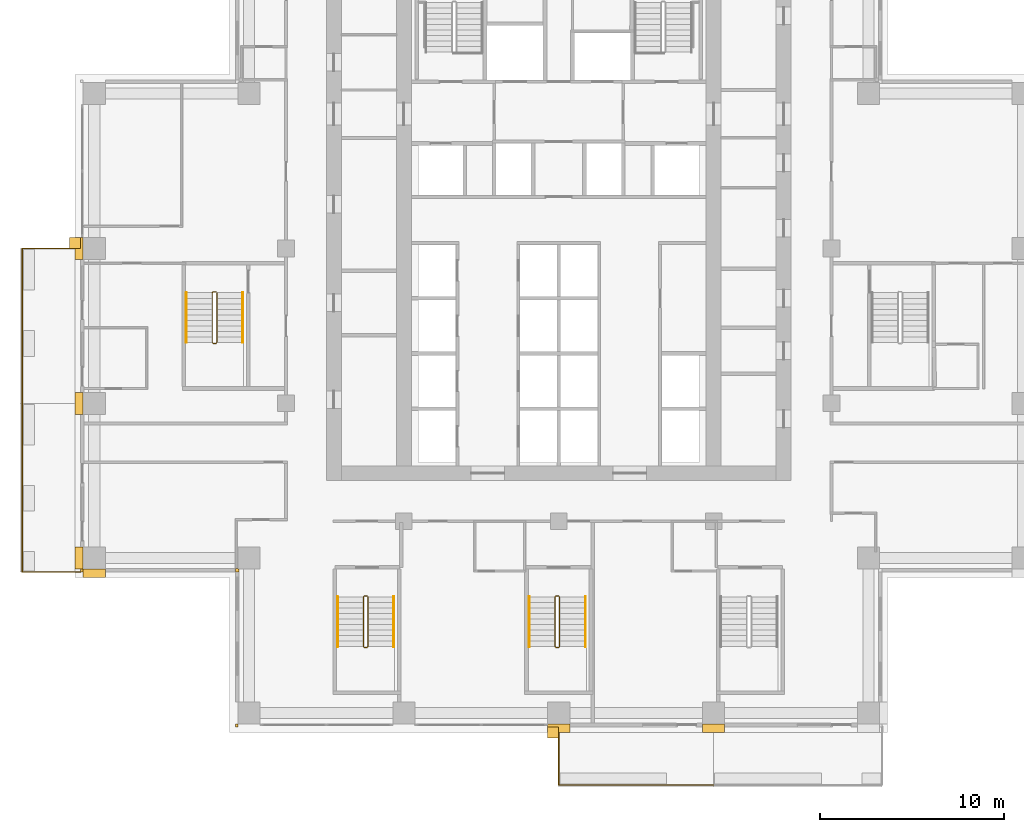
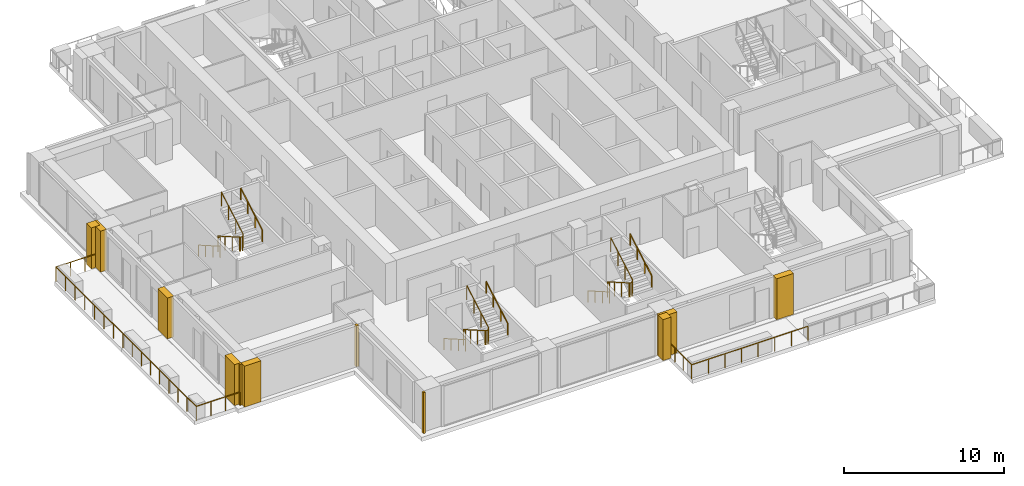
# One storey, part 15 of 18: 12 railings, 11 coverings.
"""IFC4 building model written with IfcOpenShell, lengths in metres."""

import ifcopenshell
import ifcopenshell.guid

model = None  # the IFC model being written
_history = None  # IfcOwnerHistory: only IFC2X3 demands one
_inside = {}  # id of a spatial element -> (the spatial element, [elements in it])
_under = {}  # id of a project, library or spatial element -> (it, [spatial elements below it])
_declared = {}  # id of a project -> (the project, [libraries it declares])
_typed = {}  # id of a type object -> (the type object, [elements of that type])
_made_of = {}  # id of a material, layer set ... -> (it, [elements and type objects made of it])


def new_model(schema):
    """Start an empty IFC model of exactly this schema.

    Asked for "IFC4X3", IfcOpenShell would pick the latest addendum, in which some entities
    have other attributes; the version numbers below select the first issue.
    IFC2X3 requires an IfcOwnerHistory on every rooted entity: one is made here for all.
    """
    global model, _history
    if schema == "IFC4X3":
        model = ifcopenshell.file(schema_version=(4, 3, 0, 0))
    else:
        model = ifcopenshell.file(schema=schema)
    _inside.clear()
    _under.clear()
    _declared.clear()
    _typed.clear()
    _made_of.clear()
    _history = None
    if model.schema == "IFC2X3":
        org = make("IfcOrganization", Name="unknown")
        user = make(
            "IfcPersonAndOrganization",
            ThePerson=make("IfcPerson", FamilyName="unknown"),
            TheOrganization=org,
        )
        app = make(
            "IfcApplication",
            ApplicationDeveloper=org,
            Version="unknown",
            ApplicationFullName="unknown",
            ApplicationIdentifier="unknown",
        )
        _history = make(
            "IfcOwnerHistory",
            OwningUser=user,
            OwningApplication=app,
            ChangeAction="ADDED",
            CreationDate=0,
        )
    return model


def make(cls, **values):
    """One entity of the class cls with the attributes given. An attribute that is None is left unset."""
    return model.create_entity(
        cls, **{name: value for name, value in values.items() if value is not None}
    )


def rooted(cls, **values):
    """An entity with a GlobalId (a new one), such as an element, a storey or a relation."""
    return make(cls, GlobalId=ifcopenshell.guid.new(), OwnerHistory=_history, **values)


def si_unit(unit_type, name, prefix=None):
    """IfcSIUnit, for example si_unit("LENGTHUNIT", "METRE", prefix="MILLI")."""
    return make("IfcSIUnit", UnitType=unit_type, Prefix=prefix, Name=name)


def assignment(units):
    """IfcUnitAssignment: the units of a project."""
    return None if units is None else make("IfcUnitAssignment", Units=units)


def point(xyz):
    """IfcCartesianPoint."""
    return None if xyz is None else make("IfcCartesianPoint", Coordinates=xyz)


def direction(xyz):
    """IfcDirection."""
    return None if xyz is None else make("IfcDirection", DirectionRatios=xyz)


def frame(location, z_axis=None, x_axis=None):
    """IfcAxis2Placement3D, a coordinate frame: its origin and axes. An axis left out is left unset."""
    return make(
        "IfcAxis2Placement3D",
        Location=point(location),
        Axis=direction(z_axis),
        RefDirection=direction(x_axis),
    )


def frame_2d(location, x_axis=None):
    """IfcAxis2Placement2D, a coordinate frame in the plane: its origin and x axis."""
    return make(
        "IfcAxis2Placement2D", Location=point(location), RefDirection=direction(x_axis)
    )


def origin():
    """The frame at (0, 0, 0) with its axes left unset."""
    return frame((0.0, 0.0, 0.0))


def origin_2d():
    """The frame at (0, 0) in the plane with its x axis left unset."""
    return frame_2d((0.0, 0.0))


def place(relative_to, where):
    """IfcLocalPlacement: puts the frame where relative to a parent placement (None: the world)."""
    return make(
        "IfcLocalPlacement", PlacementRelTo=relative_to, RelativePlacement=where
    )


def context(
    kind, dimensions, precision=None, world=None, true_north=None, identifier=None
):
    """IfcGeometricRepresentationContext, for example the 3D "Model" context."""
    return make(
        "IfcGeometricRepresentationContext",
        ContextIdentifier=identifier,
        ContextType=kind,
        CoordinateSpaceDimension=dimensions,
        Precision=precision,
        WorldCoordinateSystem=world,
        TrueNorth=true_north,
    )


def subcontext(parent, identifier, kind, view, scale=None):
    """IfcGeometricRepresentationSubContext, for example "Body" below "Model"."""
    return make(
        "IfcGeometricRepresentationSubContext",
        ContextIdentifier=identifier,
        ContextType=kind,
        ParentContext=parent,
        TargetScale=scale,
        TargetView=view,
    )


def project(units=None, contexts=None):
    """IfcProject with its units and contexts."""
    return rooted(
        "IfcProject",
        Name="project",
        RepresentationContexts=contexts,
        UnitsInContext=assignment(units),
    )


def spatial(cls, under=None, at=None, **own):
    """A site, building, storey or space (cls), placed at a placement, below another one or the project."""
    s = rooted(cls, ObjectPlacement=at, **own)
    if under is not None:
        _under.setdefault(under.id(), (under, []))[1].append(s)
    return s


def polyline(points):
    """IfcPolyline through the points."""
    return make("IfcPolyline", Points=[point(p) for p in points])


def profile(cls, at=None, kind="AREA", **sizes):
    """A parametric profile (cls). Its sizes go by their IFC names, for example OverallWidth=200.0."""
    return make(cls, ProfileType=kind, Position=at, **sizes)


def rectangle(**sizes):
    """IfcRectangleProfileDef."""
    return profile("IfcRectangleProfileDef", **sizes)


def outline(outer, holes=None, kind="AREA"):
    """IfcArbitraryClosedProfileDef: a profile drawn as a closed curve; with holes, ...WithVoids."""
    if holes is None:
        return make("IfcArbitraryClosedProfileDef", ProfileType=kind, OuterCurve=outer)
    return make(
        "IfcArbitraryProfileDefWithVoids",
        ProfileType=kind,
        OuterCurve=outer,
        InnerCurves=holes,
    )


def extrude(swept, where, along, depth):
    """IfcExtrudedAreaSolid: the profile swept, set in the frame where, extruded along a direction by depth."""
    return make(
        "IfcExtrudedAreaSolid",
        SweptArea=swept,
        Position=where,
        ExtrudedDirection=direction(along),
        Depth=depth,
    )


def shape(context_of_items, identifier, shape_type, items):
    """IfcShapeRepresentation: the items that make up one representation, for example the "Body"."""
    return make(
        "IfcShapeRepresentation",
        ContextOfItems=context_of_items,
        RepresentationIdentifier=identifier,
        RepresentationType=shape_type,
        Items=items,
    )


def material(Name=None, Category=None):
    """IfcMaterial."""
    return make("IfcMaterial", Name=Name, Category=Category)


def made_of(thing, what):
    """Note that an element or type object is made of a material, layer set ...; save() writes the relation."""
    if what is not None:
        _made_of.setdefault(what.id(), (what, []))[1].append(thing)
    return thing


def type_object(cls, material=None, **own):
    """A type object (cls), such as IfcWallType, which elements share."""
    return made_of(rooted(cls, **own), material)


def element(
    cls,
    number,
    at=None,
    inside=None,
    cuts=None,
    type_object=None,
    material=None,
    context=None,
    identifier="Body",
    shape_type=None,
    held_by="IfcProductDefinitionShape",
    body=None,
    shapes=None,
    **own,
):
    """One element of the class cls, such as IfcWall. Its Tag is "e" and its number.

    at: its placement. inside: the storey or other place that contains it. cuts: it is an
    opening in that element (IfcRelVoidsElement). A single representation is given by context,
    identifier, shape_type and body (its items); several are given by shapes. held_by: the class
    of the entity that holds the representations. save() writes the other relations.
    """
    e = rooted(cls, Tag="e%d" % number, ObjectPlacement=at, **own)
    if body is not None:
        shapes = [shape(context, identifier, shape_type, body)]
    if shapes is not None:
        e.Representation = make(held_by, Representations=shapes)
    if inside is not None:
        _inside.setdefault(inside.id(), (inside, []))[1].append(e)
    if cuts is not None:
        rooted(
            "IfcRelVoidsElement", RelatingBuildingElement=cuts, RelatedOpeningElement=e
        )
    if type_object is not None:
        _typed.setdefault(type_object.id(), (type_object, []))[1].append(e)
    return made_of(e, material)


def aggregate(whole, parts):
    """IfcRelAggregates: a whole, such as a stair, and the parts it consists of."""
    return rooted("IfcRelAggregates", RelatingObject=whole, RelatedObjects=parts)


def save(model, path):
    """Write the relations noted so far, then the file.

    IfcRelAggregates (storeys below a building ...), IfcRelContainedInSpatialStructure (elements
    in a storey), IfcRelDefinesByType, IfcRelAssociatesMaterial and IfcRelDeclares: one each for
    every whole, place, type object, material and project.
    """
    for whole, parts in _under.values():
        aggregate(whole, parts)
    for where, things in _inside.values():
        rooted(
            "IfcRelContainedInSpatialStructure",
            RelatedElements=things,
            RelatingStructure=where,
        )
    for kind, things in _typed.values():
        rooted("IfcRelDefinesByType", RelatedObjects=things, RelatingType=kind)
    for what, things in _made_of.values():
        rooted("IfcRelAssociatesMaterial", RelatedObjects=things, RelatingMaterial=what)
    for by, libraries in _declared.values():
        rooted("IfcRelDeclares", RelatingContext=by, RelatedDefinitions=libraries)
    model.write(path)


model = new_model("IFC4")

# Units and contexts
model_context = context("Model", 3, precision=1e-05, world=origin(), true_north=direction((0.0, 1.0)))
body_context = subcontext(model_context, "Body", "Model", "MODEL_VIEW")
ifc_project = project(units=[si_unit("LENGTHUNIT", "METRE"), si_unit("AREAUNIT", "SQUARE_METRE"), si_unit("VOLUMEUNIT", "CUBIC_METRE"), si_unit("PLANEANGLEUNIT", "RADIAN"), si_unit("MASSUNIT", "GRAM", prefix="KILO")], contexts=[model_context])

# Site, building, storey
site_placement = place(None, origin())
site = spatial("IfcSite", under=ifc_project, at=site_placement, CompositionType="ELEMENT")
building_placement = place(site_placement, origin())
building = spatial("IfcBuilding", under=site, at=building_placement, Name="Vermilion Ogive Tower", CompositionType="ELEMENT")
storey_placement = place(building_placement, frame((0.0, 0.0, 108.0)))
storey = spatial("IfcBuildingStorey", under=building, at=storey_placement, Name="L27", CompositionType="ELEMENT", Elevation=108.0)

# Railings
ifc_material_1 = material(Name="Stainless steel and glass", Category="steel")
railing_type_1 = type_object("IfcRailingType", Name="Balcony guard", PredefinedType="GUARDRAIL", material=ifc_material_1)
railing_1_placement = place(storey_placement, frame((0.0, -21.75, -0.0400390625)))
element("IfcRailing", 1, at=railing_1_placement, inside=storey, type_object=railing_type_1, Name="Guard S03", PredefinedType="GUARDRAIL", context=body_context, shape_type="SweptSolid", body=[
    extrude(rectangle(XDim=0.048095703125, YDim=0.048095703125, at=origin_2d()), frame((0.0, 0.0, 1.076171875), z_axis=(0.0, -1.0, 0.0), x_axis=(1.0, 0.0, 0.0)), (0.0, 0.0, 1.0), 3.159912109375),
    extrude(rectangle(XDim=0.048095703125, YDim=0.048095703125, at=origin_2d()), frame((0.0, -3.159912109375, 1.076171875), z_axis=(1.0, 0.0, 0.0), x_axis=(0.0, 1.0, 0.0)), (0.0, 0.0, 1.0), 8.39990234375),
    extrude(rectangle(XDim=0.0419921875, YDim=0.0419921875, at=origin_2d()), origin(), (0.0, 0.0, 1.0), 1.052001953125),
    extrude(rectangle(XDim=0.0419921875, YDim=0.0419921875, at=origin_2d()), frame((0.0, -1.05322265625, 0.0)), (0.0, 0.0, 1.0), 1.052001953125),
    extrude(rectangle(XDim=0.0419921875, YDim=0.0419921875, at=origin_2d()), frame((0.0, -2.106689453125, 0.0)), (0.0, 0.0, 1.0), 1.052001953125),
    extrude(rectangle(XDim=0.0419921875, YDim=0.0419921875, at=origin_2d()), frame((0.0, -3.159912109375, 0.0)), (0.0, 0.0, 1.0), 1.052001953125),
    extrude(rectangle(XDim=0.0419921875, YDim=0.0419921875, at=origin_2d()), frame((1.199951171875, -3.159912109375, 0.0)), (0.0, 0.0, 1.0), 1.052001953125),
    extrude(rectangle(XDim=0.0419921875, YDim=0.0419921875, at=origin_2d()), frame((2.39990234375, -3.159912109375, 0.0)), (0.0, 0.0, 1.0), 1.052001953125),
    extrude(rectangle(XDim=0.0419921875, YDim=0.0419921875, at=origin_2d()), frame((3.599853515625, -3.159912109375, 0.0)), (0.0, 0.0, 1.0), 1.052001953125),
    extrude(rectangle(XDim=0.0419921875, YDim=0.0419921875, at=origin_2d()), frame((4.800048828125, -3.159912109375, 0.0)), (0.0, 0.0, 1.0), 1.052001953125),
    extrude(rectangle(XDim=0.0419921875, YDim=0.0419921875, at=origin_2d()), frame((6.0, -3.159912109375, 0.0)), (0.0, 0.0, 1.0), 1.052001953125),
    extrude(rectangle(XDim=0.0419921875, YDim=0.0419921875, at=origin_2d()), frame((7.199951171875, -3.159912109375, 0.0)), (0.0, 0.0, 1.0), 1.052001953125),
    extrude(rectangle(XDim=0.0419921875, YDim=0.0419921875, at=origin_2d()), frame((8.39990234375, -3.159912109375, 0.0)), (0.0, 0.0, 1.0), 1.052001953125),
])
railing_2_placement = place(storey_placement, frame((-25.949951171875, 4.199951171875, -0.0400390625)))
element("IfcRailing", 2, at=railing_2_placement, inside=storey, type_object=railing_type_1, Name="Guard W02", PredefinedType="GUARDRAIL", context=body_context, shape_type="SweptSolid", body=[
    extrude(rectangle(XDim=0.048095703125, YDim=0.048095703125, at=origin_2d()), frame((0.0, 0.0, 1.076171875), z_axis=(-1.0, 0.0, 0.0), x_axis=(0.0, -1.0, 0.0)), (0.0, 0.0, 1.0), 3.16015625),
    extrude(rectangle(XDim=0.048095703125, YDim=0.048095703125, at=origin_2d()), frame((-3.16015625, 0.0, 1.076171875), z_axis=(0.0, -1.0, 0.0), x_axis=(1.0, 0.0, 0.0)), (0.0, 0.0, 1.0), 8.39990234375),
    extrude(rectangle(XDim=0.0419921875, YDim=0.0419921875, at=origin_2d()), origin(), (0.0, 0.0, 1.0), 1.052001953125),
    extrude(rectangle(XDim=0.0419921875, YDim=0.0419921875, at=origin_2d()), frame((-1.053466796875, 0.0, 0.0)), (0.0, 0.0, 1.0), 1.052001953125),
    extrude(rectangle(XDim=0.0419921875, YDim=0.0419921875, at=origin_2d()), frame((-2.106689453125, 0.0, 0.0)), (0.0, 0.0, 1.0), 1.052001953125),
    extrude(rectangle(XDim=0.0419921875, YDim=0.0419921875, at=origin_2d()), frame((-3.16015625, 0.0, 0.0)), (0.0, 0.0, 1.0), 1.052001953125),
    extrude(rectangle(XDim=0.0419921875, YDim=0.0419921875, at=origin_2d()), frame((-3.16015625, -1.199951171875, 0.0)), (0.0, 0.0, 1.0), 1.052001953125),
    extrude(rectangle(XDim=0.0419921875, YDim=0.0419921875, at=origin_2d()), frame((-3.16015625, -2.39990234375, 0.0)), (0.0, 0.0, 1.0), 1.052001953125),
    extrude(rectangle(XDim=0.0419921875, YDim=0.0419921875, at=origin_2d()), frame((-3.16015625, -3.599853515625, 0.0)), (0.0, 0.0, 1.0), 1.052001953125),
    extrude(rectangle(XDim=0.0419921875, YDim=0.0419921875, at=origin_2d()), frame((-3.16015625, -4.800048828125, 0.0)), (0.0, 0.0, 1.0), 1.052001953125),
    extrude(rectangle(XDim=0.0419921875, YDim=0.0419921875, at=origin_2d()), frame((-3.16015625, -6.0, 0.0)), (0.0, 0.0, 1.0), 1.052001953125),
    extrude(rectangle(XDim=0.0419921875, YDim=0.0419921875, at=origin_2d()), frame((-3.16015625, -7.199951171875, 0.0)), (0.0, 0.0, 1.0), 1.052001953125),
    extrude(rectangle(XDim=0.0419921875, YDim=0.0419921875, at=origin_2d()), frame((-3.16015625, -8.39990234375, 0.0)), (0.0, 0.0, 1.0), 1.052001953125),
])
railing_3_placement = place(storey_placement, frame((-29.110107421875, -4.199951171875, -0.0400390625)))
element("IfcRailing", 3, at=railing_3_placement, inside=storey, type_object=railing_type_1, Name="Guard W03", PredefinedType="GUARDRAIL", context=body_context, shape_type="SweptSolid", body=[
    extrude(rectangle(XDim=0.048095703125, YDim=0.048095703125, at=origin_2d()), frame((0.0, 0.0, 1.076171875), z_axis=(0.0, -1.0, 0.0), x_axis=(1.0, 0.0, 0.0)), (0.0, 0.0, 1.0), 9.150146484375),
    extrude(rectangle(XDim=0.048095703125, YDim=0.048095703125, at=origin_2d()), frame((0.0, -9.150146484375, 1.076171875), z_axis=(1.0, 0.0, 0.0), x_axis=(0.0, 1.0, 0.0)), (0.0, 0.0, 1.0), 3.16015625),
    extrude(rectangle(XDim=0.0419921875, YDim=0.0419921875, at=origin_2d()), origin(), (0.0, 0.0, 1.0), 1.052001953125),
    extrude(rectangle(XDim=0.0419921875, YDim=0.0419921875, at=origin_2d()), frame((0.0, -1.143798828125, 0.0)), (0.0, 0.0, 1.0), 1.052001953125),
    extrude(rectangle(XDim=0.0419921875, YDim=0.0419921875, at=origin_2d()), frame((0.0, -2.28759765625, 0.0)), (0.0, 0.0, 1.0), 1.052001953125),
    extrude(rectangle(XDim=0.0419921875, YDim=0.0419921875, at=origin_2d()), frame((0.0, -3.431396484375, 0.0)), (0.0, 0.0, 1.0), 1.052001953125),
    extrude(rectangle(XDim=0.0419921875, YDim=0.0419921875, at=origin_2d()), frame((0.0, -4.5751953125, 0.0)), (0.0, 0.0, 1.0), 1.052001953125),
    extrude(rectangle(XDim=0.0419921875, YDim=0.0419921875, at=origin_2d()), frame((0.0, -5.71875, 0.0)), (0.0, 0.0, 1.0), 1.052001953125),
    extrude(rectangle(XDim=0.0419921875, YDim=0.0419921875, at=origin_2d()), frame((0.0, -6.862548828125, 0.0)), (0.0, 0.0, 1.0), 1.052001953125),
    extrude(rectangle(XDim=0.0419921875, YDim=0.0419921875, at=origin_2d()), frame((0.0, -8.00634765625, 0.0)), (0.0, 0.0, 1.0), 1.052001953125),
    extrude(rectangle(XDim=0.0419921875, YDim=0.0419921875, at=origin_2d()), frame((0.0, -9.150146484375, 0.0)), (0.0, 0.0, 1.0), 1.052001953125),
    extrude(rectangle(XDim=0.0419921875, YDim=0.0419921875, at=origin_2d()), frame((1.053466796875, -9.150146484375, 0.0)), (0.0, 0.0, 1.0), 1.052001953125),
    extrude(rectangle(XDim=0.0419921875, YDim=0.0419921875, at=origin_2d()), frame((2.106689453125, -9.150146484375, 0.0)), (0.0, 0.0, 1.0), 1.052001953125),
    extrude(rectangle(XDim=0.0419921875, YDim=0.0419921875, at=origin_2d()), frame((3.16015625, -9.150146484375, 0.0)), (0.0, 0.0, 1.0), 1.052001953125),
])
ifc_material_2 = material(Name="Steel S355 painted", Category="steel")
railing_type_2 = type_object("IfcRailingType", Name="Stair guard 1100", PredefinedType="GUARDRAIL", material=ifc_material_2)
railing_4_placement = place(storey_placement, frame((-10.39990234375, -14.64990234375, 0.0)))
element("IfcRailing", 4, at=railing_4_placement, inside=storey, type_object=railing_type_2, Name="L27 ST3 stair guard 4", PredefinedType="GUARDRAIL", context=body_context, shape_type="SweptSolid", body=[
    extrude(rectangle(XDim=0.048095703125, YDim=0.048095703125, at=origin_2d()), frame((0.0, 0.0, 1.076171875), z_axis=(-1.0, 0.0, 0.0), x_axis=(0.0, -1.0, 0.0)), (0.0, 0.0, 1.0), 0.150146484375),
    extrude(rectangle(XDim=0.048095703125, YDim=0.048095703125, at=origin_2d()), frame((-0.150146484375, 0.0, 1.076171875), z_axis=(-0.268277960024, -0.268277960024, 0.925231793839), x_axis=(0.707106781187, -0.707106781187, 0.0)), (0.0, 0.0, 1.0), 0.1865234375),
    extrude(rectangle(XDim=0.048095703125, YDim=0.048095703125, at=origin_2d()), frame((-0.2001953125, -0.050048828125, 1.24853515625), z_axis=(0.0, -0.866903762492, 0.498475542607), x_axis=(1.0, 0.0, 0.0)), (0.0, 0.0, 1.0), 3.114501953125),
    extrude(rectangle(XDim=0.048095703125, YDim=0.048095703125, at=origin_2d()), frame((-0.2001953125, -2.75, 2.80126953125), z_axis=(0.707106781187, -0.707106781187, 0.0), x_axis=(0.707106781187, 0.707106781187, 0.0)), (0.0, 0.0, 1.0), 0.07080078125),
    extrude(rectangle(XDim=0.048095703125, YDim=0.048095703125, at=origin_2d()), frame((-0.150146484375, -2.800048828125, 2.80126953125), z_axis=(1.0, 0.0, 0.0), x_axis=(0.0, 1.0, 0.0)), (0.0, 0.0, 1.0), 0.150146484375),
    extrude(rectangle(XDim=0.048095703125, YDim=0.048095703125, at=origin_2d()), frame((0.0, -2.800048828125, 2.80126953125), z_axis=(0.267386790225, 0.268697509785, 0.925368009307), x_axis=(-0.708833529934, 0.705375805398, 0.0)), (0.0, 0.0, 1.0), 0.186279296875),
    extrude(rectangle(XDim=0.048095703125, YDim=0.048095703125, at=origin_2d()), frame((0.0498046875, -2.75, 2.9736328125), z_axis=(0.0, 0.866903762492, 0.498475542607), x_axis=(-1.0, 0.0, 0.0)), (0.0, 0.0, 1.0), 3.114501953125),
    extrude(rectangle(XDim=0.0419921875, YDim=0.0419921875, at=origin_2d()), origin(), (0.0, 0.0, 1.0), 1.052001953125),
    extrude(rectangle(XDim=0.0419921875, YDim=0.0419921875, at=origin_2d()), frame((-0.150146484375, 0.0, 0.0)), (0.0, 0.0, 1.0), 1.052001953125),
    extrude(rectangle(XDim=0.0419921875, YDim=0.0419921875, at=origin_2d()), frame((-0.2001953125, -0.050048828125, 0.172607421875)), (0.0, 0.0, 1.0), 1.052001953125),
    extrude(rectangle(XDim=0.0419921875, YDim=0.0419921875, at=origin_2d()), frame((-0.2001953125, -0.949951171875, 0.690185546875)), (0.0, 0.0, 1.0), 1.052001953125),
    extrude(rectangle(XDim=0.0419921875, YDim=0.0419921875, at=origin_2d()), frame((-0.2001953125, -1.85009765625, 1.20751953125)), (0.0, 0.0, 1.0), 1.052001953125),
    extrude(rectangle(XDim=0.0419921875, YDim=0.0419921875, at=origin_2d()), frame((-0.2001953125, -2.75, 1.72509765625)), (0.0, 0.0, 1.0), 1.052001953125),
    extrude(rectangle(XDim=0.0419921875, YDim=0.0419921875, at=origin_2d()), frame((-0.150146484375, -2.800048828125, 1.72509765625)), (0.0, 0.0, 1.0), 1.052001953125),
    extrude(rectangle(XDim=0.0419921875, YDim=0.0419921875, at=origin_2d()), frame((0.0, -2.800048828125, 1.72509765625)), (0.0, 0.0, 1.0), 1.052001953125),
    extrude(rectangle(XDim=0.0419921875, YDim=0.0419921875, at=origin_2d()), frame((0.0498046875, -2.75, 1.8974609375)), (0.0, 0.0, 1.0), 1.052001953125),
    extrude(rectangle(XDim=0.0419921875, YDim=0.0419921875, at=origin_2d()), frame((0.0498046875, -1.85009765625, 2.4150390625)), (0.0, 0.0, 1.0), 1.052001953125),
    extrude(rectangle(XDim=0.0419921875, YDim=0.0419921875, at=origin_2d()), frame((0.0498046875, -0.949951171875, 2.932373046875)), (0.0, 0.0, 1.0), 1.052001953125),
    extrude(rectangle(XDim=0.0419921875, YDim=0.0419921875, at=origin_2d()), frame((0.0498046875, -0.050048828125, 3.449951171875)), (0.0, 0.0, 1.0), 1.052001953125),
])
railing_5_placement = place(storey_placement, frame((0.0, -14.64990234375, 0.0)))
element("IfcRailing", 5, at=railing_5_placement, inside=storey, type_object=railing_type_2, Name="L27 ST4 stair guard 4", PredefinedType="GUARDRAIL", context=body_context, shape_type="SweptSolid", body=[
    extrude(rectangle(XDim=0.048095703125, YDim=0.048095703125, at=origin_2d()), frame((0.0, 0.0, 1.076171875), z_axis=(-1.0, 0.0, 0.0), x_axis=(0.0, -1.0, 0.0)), (0.0, 0.0, 1.0), 0.14990234375),
    extrude(rectangle(XDim=0.048095703125, YDim=0.048095703125, at=origin_2d()), frame((-0.14990234375, 0.0, 1.076171875), z_axis=(-0.268277960024, -0.268277960024, 0.925231793839), x_axis=(0.707106781187, -0.707106781187, 0.0)), (0.0, 0.0, 1.0), 0.1865234375),
    extrude(rectangle(XDim=0.048095703125, YDim=0.048095703125, at=origin_2d()), frame((-0.199951171875, -0.050048828125, 1.24853515625), z_axis=(0.0, -0.866903762492, 0.498475542607), x_axis=(1.0, 0.0, 0.0)), (0.0, 0.0, 1.0), 3.114501953125),
    extrude(rectangle(XDim=0.048095703125, YDim=0.048095703125, at=origin_2d()), frame((-0.199951171875, -2.75, 2.80126953125), z_axis=(0.707106781187, -0.707106781187, 0.0), x_axis=(0.707106781187, 0.707106781187, 0.0)), (0.0, 0.0, 1.0), 0.07080078125),
    extrude(rectangle(XDim=0.048095703125, YDim=0.048095703125, at=origin_2d()), frame((-0.14990234375, -2.800048828125, 2.80126953125), z_axis=(1.0, 0.0, 0.0), x_axis=(0.0, 1.0, 0.0)), (0.0, 0.0, 1.0), 0.14990234375),
    extrude(rectangle(XDim=0.048095703125, YDim=0.048095703125, at=origin_2d()), frame((0.0, -2.800048828125, 2.80126953125), z_axis=(0.268603158521, 0.268603158521, 0.925043072762), x_axis=(-0.707106781187, 0.707106781187, 0.0)), (0.0, 0.0, 1.0), 0.186279296875),
    extrude(rectangle(XDim=0.048095703125, YDim=0.048095703125, at=origin_2d()), frame((0.050048828125, -2.75, 2.9736328125), z_axis=(0.0, 0.866903762492, 0.498475542607), x_axis=(-1.0, 0.0, 0.0)), (0.0, 0.0, 1.0), 3.114501953125),
    extrude(rectangle(XDim=0.0419921875, YDim=0.0419921875, at=origin_2d()), origin(), (0.0, 0.0, 1.0), 1.052001953125),
    extrude(rectangle(XDim=0.0419921875, YDim=0.0419921875, at=origin_2d()), frame((-0.14990234375, 0.0, 0.0)), (0.0, 0.0, 1.0), 1.052001953125),
    extrude(rectangle(XDim=0.0419921875, YDim=0.0419921875, at=origin_2d()), frame((-0.199951171875, -0.050048828125, 0.172607421875)), (0.0, 0.0, 1.0), 1.052001953125),
    extrude(rectangle(XDim=0.0419921875, YDim=0.0419921875, at=origin_2d()), frame((-0.199951171875, -0.949951171875, 0.690185546875)), (0.0, 0.0, 1.0), 1.052001953125),
    extrude(rectangle(XDim=0.0419921875, YDim=0.0419921875, at=origin_2d()), frame((-0.199951171875, -1.85009765625, 1.20751953125)), (0.0, 0.0, 1.0), 1.052001953125),
    extrude(rectangle(XDim=0.0419921875, YDim=0.0419921875, at=origin_2d()), frame((-0.199951171875, -2.75, 1.72509765625)), (0.0, 0.0, 1.0), 1.052001953125),
    extrude(rectangle(XDim=0.0419921875, YDim=0.0419921875, at=origin_2d()), frame((-0.14990234375, -2.800048828125, 1.72509765625)), (0.0, 0.0, 1.0), 1.052001953125),
    extrude(rectangle(XDim=0.0419921875, YDim=0.0419921875, at=origin_2d()), frame((0.0, -2.800048828125, 1.72509765625)), (0.0, 0.0, 1.0), 1.052001953125),
    extrude(rectangle(XDim=0.0419921875, YDim=0.0419921875, at=origin_2d()), frame((0.050048828125, -2.75, 1.8974609375)), (0.0, 0.0, 1.0), 1.052001953125),
    extrude(rectangle(XDim=0.0419921875, YDim=0.0419921875, at=origin_2d()), frame((0.050048828125, -1.85009765625, 2.4150390625)), (0.0, 0.0, 1.0), 1.052001953125),
    extrude(rectangle(XDim=0.0419921875, YDim=0.0419921875, at=origin_2d()), frame((0.050048828125, -0.949951171875, 2.932373046875)), (0.0, 0.0, 1.0), 1.052001953125),
    extrude(rectangle(XDim=0.0419921875, YDim=0.0419921875, at=origin_2d()), frame((0.050048828125, -0.050048828125, 3.449951171875)), (0.0, 0.0, 1.0), 1.052001953125),
])
railing_6_placement = place(storey_placement, frame((-18.60009765625, 1.85009765625, 0.0)))
element("IfcRailing", 6, at=railing_6_placement, inside=storey, type_object=railing_type_2, Name="L27 ST9 stair guard 4", PredefinedType="GUARDRAIL", context=body_context, shape_type="SweptSolid", body=[
    extrude(rectangle(XDim=0.048095703125, YDim=0.048095703125, at=origin_2d()), frame((0.0, 0.0, 1.076171875), z_axis=(-1.0, 0.0, 0.0), x_axis=(0.0, -1.0, 0.0)), (0.0, 0.0, 1.0), 0.14990234375),
    extrude(rectangle(XDim=0.048095703125, YDim=0.048095703125, at=origin_2d()), frame((-0.14990234375, 0.0, 1.076171875), z_axis=(-0.268277960024, -0.268277960024, 0.925231793839), x_axis=(0.707106781187, -0.707106781187, 0.0)), (0.0, 0.0, 1.0), 0.1865234375),
    extrude(rectangle(XDim=0.048095703125, YDim=0.048095703125, at=origin_2d()), frame((-0.199951171875, -0.050048828125, 1.24853515625), z_axis=(0.0, -0.866903762492, 0.498475542607), x_axis=(1.0, 0.0, 0.0)), (0.0, 0.0, 1.0), 3.114501953125),
    extrude(rectangle(XDim=0.048095703125, YDim=0.048095703125, at=origin_2d()), frame((-0.199951171875, -2.75, 2.80126953125), z_axis=(0.707106781187, -0.707106781187, 0.0), x_axis=(0.707106781187, 0.707106781187, 0.0)), (0.0, 0.0, 1.0), 0.07080078125),
    extrude(rectangle(XDim=0.048095703125, YDim=0.048095703125, at=origin_2d()), frame((-0.14990234375, -2.800048828125, 2.80126953125), z_axis=(1.0, 0.0, 0.0), x_axis=(0.0, 1.0, 0.0)), (0.0, 0.0, 1.0), 0.14990234375),
    extrude(rectangle(XDim=0.048095703125, YDim=0.048095703125, at=origin_2d()), frame((0.0, -2.800048828125, 2.80126953125), z_axis=(0.268603158521, 0.268603158521, 0.925043072762), x_axis=(-0.707106781187, 0.707106781187, 0.0)), (0.0, 0.0, 1.0), 0.186279296875),
    extrude(rectangle(XDim=0.048095703125, YDim=0.048095703125, at=origin_2d()), frame((0.050048828125, -2.75, 2.9736328125), z_axis=(0.0, 0.866903762492, 0.498475542607), x_axis=(-1.0, 0.0, 0.0)), (0.0, 0.0, 1.0), 3.114501953125),
    extrude(rectangle(XDim=0.0419921875, YDim=0.0419921875, at=origin_2d()), origin(), (0.0, 0.0, 1.0), 1.052001953125),
    extrude(rectangle(XDim=0.0419921875, YDim=0.0419921875, at=origin_2d()), frame((-0.14990234375, 0.0, 0.0)), (0.0, 0.0, 1.0), 1.052001953125),
    extrude(rectangle(XDim=0.0419921875, YDim=0.0419921875, at=origin_2d()), frame((-0.199951171875, -0.050048828125, 0.172607421875)), (0.0, 0.0, 1.0), 1.052001953125),
    extrude(rectangle(XDim=0.0419921875, YDim=0.0419921875, at=origin_2d()), frame((-0.199951171875, -0.949951171875, 0.690185546875)), (0.0, 0.0, 1.0), 1.052001953125),
    extrude(rectangle(XDim=0.0419921875, YDim=0.0419921875, at=origin_2d()), frame((-0.199951171875, -1.85009765625, 1.20751953125)), (0.0, 0.0, 1.0), 1.052001953125),
    extrude(rectangle(XDim=0.0419921875, YDim=0.0419921875, at=origin_2d()), frame((-0.199951171875, -2.75, 1.72509765625)), (0.0, 0.0, 1.0), 1.052001953125),
    extrude(rectangle(XDim=0.0419921875, YDim=0.0419921875, at=origin_2d()), frame((-0.14990234375, -2.800048828125, 1.72509765625)), (0.0, 0.0, 1.0), 1.052001953125),
    extrude(rectangle(XDim=0.0419921875, YDim=0.0419921875, at=origin_2d()), frame((0.0, -2.800048828125, 1.72509765625)), (0.0, 0.0, 1.0), 1.052001953125),
    extrude(rectangle(XDim=0.0419921875, YDim=0.0419921875, at=origin_2d()), frame((0.050048828125, -2.75, 1.8974609375)), (0.0, 0.0, 1.0), 1.052001953125),
    extrude(rectangle(XDim=0.0419921875, YDim=0.0419921875, at=origin_2d()), frame((0.050048828125, -1.85009765625, 2.4150390625)), (0.0, 0.0, 1.0), 1.052001953125),
    extrude(rectangle(XDim=0.0419921875, YDim=0.0419921875, at=origin_2d()), frame((0.050048828125, -0.949951171875, 2.932373046875)), (0.0, 0.0, 1.0), 1.052001953125),
    extrude(rectangle(XDim=0.0419921875, YDim=0.0419921875, at=origin_2d()), frame((0.050048828125, -0.050048828125, 3.449951171875)), (0.0, 0.0, 1.0), 1.052001953125),
])
ifc_material_3 = material(Name="Stainless steel", Category="steel")
railing_type_3 = type_object("IfcRailingType", Name="Stair handrail 900", PredefinedType="HANDRAIL", material=ifc_material_3)
railing_7_placement = place(storey_placement, frame((-12.0, -14.699951171875, 0.172607421875)))
element("IfcRailing", 7, at=railing_7_placement, inside=storey, type_object=railing_type_3, Name="L27 ST3 stair handrail 1", PredefinedType="HANDRAIL", context=body_context, shape_type="SweptSolid", body=[
    extrude(rectangle(XDim=0.048095703125, YDim=0.048095703125, at=origin_2d()), frame((0.0, 0.0, 0.8759765625), z_axis=(0.0, -0.866903762492, 0.498475542607), x_axis=(1.0, 0.0, 0.0)), (0.0, 0.0, 1.0), 3.114501953125),
    extrude(rectangle(XDim=0.0419921875, YDim=0.0419921875, at=origin_2d()), origin(), (0.0, 0.0, 1.0), 0.851806640625),
    extrude(rectangle(XDim=0.0419921875, YDim=0.0419921875, at=origin_2d()), frame((0.0, -0.89990234375, 0.517578125)), (0.0, 0.0, 1.0), 0.851806640625),
    extrude(rectangle(XDim=0.0419921875, YDim=0.0419921875, at=origin_2d()), frame((0.0, -1.800048828125, 1.034912109375)), (0.0, 0.0, 1.0), 0.851806640625),
    extrude(rectangle(XDim=0.0419921875, YDim=0.0419921875, at=origin_2d()), frame((0.0, -2.699951171875, 1.552490234375)), (0.0, 0.0, 1.0), 0.851806640625),
])
railing_8_placement = place(storey_placement, frame((-8.949951171875, -17.39990234375, 1.8974609375)))
element("IfcRailing", 8, at=railing_8_placement, inside=storey, type_object=railing_type_3, Name="L27 ST3 stair handrail 2", PredefinedType="HANDRAIL", context=body_context, shape_type="SweptSolid", body=[
    extrude(rectangle(XDim=0.048095703125, YDim=0.048095703125, at=origin_2d()), frame((0.0, 0.0, 0.8759765625), z_axis=(0.0, 0.866903762492, 0.498475542607), x_axis=(-1.0, 0.0, 0.0)), (0.0, 0.0, 1.0), 3.114501953125),
    extrude(rectangle(XDim=0.0419921875, YDim=0.0419921875, at=origin_2d()), origin(), (0.0, 0.0, 1.0), 0.851806640625),
    extrude(rectangle(XDim=0.0419921875, YDim=0.0419921875, at=origin_2d()), frame((0.0, 0.89990234375, 0.517578125)), (0.0, 0.0, 1.0), 0.851806640625),
    extrude(rectangle(XDim=0.0419921875, YDim=0.0419921875, at=origin_2d()), frame((0.0, 1.800048828125, 1.034912109375)), (0.0, 0.0, 1.0), 0.851806640625),
    extrude(rectangle(XDim=0.0419921875, YDim=0.0419921875, at=origin_2d()), frame((0.0, 2.699951171875, 1.552490234375)), (0.0, 0.0, 1.0), 0.851806640625),
])
railing_9_placement = place(storey_placement, frame((-1.60009765625, -14.699951171875, 0.172607421875)))
element("IfcRailing", 9, at=railing_9_placement, inside=storey, type_object=railing_type_3, Name="L27 ST4 stair handrail 1", PredefinedType="HANDRAIL", context=body_context, shape_type="SweptSolid", body=[
    extrude(rectangle(XDim=0.048095703125, YDim=0.048095703125, at=origin_2d()), frame((0.0, 0.0, 0.8759765625), z_axis=(0.0, -0.866903762492, 0.498475542607), x_axis=(1.0, 0.0, 0.0)), (0.0, 0.0, 1.0), 3.114501953125),
    extrude(rectangle(XDim=0.0419921875, YDim=0.0419921875, at=origin_2d()), origin(), (0.0, 0.0, 1.0), 0.851806640625),
    extrude(rectangle(XDim=0.0419921875, YDim=0.0419921875, at=origin_2d()), frame((0.0, -0.89990234375, 0.517578125)), (0.0, 0.0, 1.0), 0.851806640625),
    extrude(rectangle(XDim=0.0419921875, YDim=0.0419921875, at=origin_2d()), frame((0.0, -1.800048828125, 1.034912109375)), (0.0, 0.0, 1.0), 0.851806640625),
    extrude(rectangle(XDim=0.0419921875, YDim=0.0419921875, at=origin_2d()), frame((0.0, -2.699951171875, 1.552490234375)), (0.0, 0.0, 1.0), 0.851806640625),
])
railing_10_placement = place(storey_placement, frame((1.449951171875, -17.39990234375, 1.8974609375)))
element("IfcRailing", 10, at=railing_10_placement, inside=storey, type_object=railing_type_3, Name="L27 ST4 stair handrail 2", PredefinedType="HANDRAIL", context=body_context, shape_type="SweptSolid", body=[
    extrude(rectangle(XDim=0.048095703125, YDim=0.048095703125, at=origin_2d()), frame((0.0, 0.0, 0.8759765625), z_axis=(0.0, 0.866903762492, 0.498475542607), x_axis=(-1.0, 0.0, 0.0)), (0.0, 0.0, 1.0), 3.114501953125),
    extrude(rectangle(XDim=0.0419921875, YDim=0.0419921875, at=origin_2d()), origin(), (0.0, 0.0, 1.0), 0.851806640625),
    extrude(rectangle(XDim=0.0419921875, YDim=0.0419921875, at=origin_2d()), frame((0.0, 0.89990234375, 0.517578125)), (0.0, 0.0, 1.0), 0.851806640625),
    extrude(rectangle(XDim=0.0419921875, YDim=0.0419921875, at=origin_2d()), frame((0.0, 1.800048828125, 1.034912109375)), (0.0, 0.0, 1.0), 0.851806640625),
    extrude(rectangle(XDim=0.0419921875, YDim=0.0419921875, at=origin_2d()), frame((0.0, 2.699951171875, 1.552490234375)), (0.0, 0.0, 1.0), 0.851806640625),
])
railing_11_placement = place(storey_placement, frame((-20.199951171875, 1.800048828125, 0.172607421875)))
element("IfcRailing", 11, at=railing_11_placement, inside=storey, type_object=railing_type_3, Name="L27 ST9 stair handrail 1", PredefinedType="HANDRAIL", context=body_context, shape_type="SweptSolid", body=[
    extrude(rectangle(XDim=0.048095703125, YDim=0.048095703125, at=origin_2d()), frame((0.0, 0.0, 0.8759765625), z_axis=(0.0, -0.866903762492, 0.498475542607), x_axis=(1.0, 0.0, 0.0)), (0.0, 0.0, 1.0), 3.114501953125),
    extrude(rectangle(XDim=0.0419921875, YDim=0.0419921875, at=origin_2d()), origin(), (0.0, 0.0, 1.0), 0.851806640625),
    extrude(rectangle(XDim=0.0419921875, YDim=0.0419921875, at=origin_2d()), frame((0.0, -0.89990234375, 0.517578125)), (0.0, 0.0, 1.0), 0.851806640625),
    extrude(rectangle(XDim=0.0419921875, YDim=0.0419921875, at=origin_2d()), frame((0.0, -1.800048828125, 1.034912109375)), (0.0, 0.0, 1.0), 0.851806640625),
    extrude(rectangle(XDim=0.0419921875, YDim=0.0419921875, at=origin_2d()), frame((0.0, -2.699951171875, 1.552490234375)), (0.0, 0.0, 1.0), 0.851806640625),
])
railing_12_placement = place(storey_placement, frame((-17.14990234375, -0.89990234375, 1.8974609375)))
element("IfcRailing", 12, at=railing_12_placement, inside=storey, type_object=railing_type_3, Name="L27 ST9 stair handrail 2", PredefinedType="HANDRAIL", context=body_context, shape_type="SweptSolid", body=[
    extrude(rectangle(XDim=0.048095703125, YDim=0.048095703125, at=origin_2d()), frame((0.0, 0.0, 0.8759765625), z_axis=(0.0, 0.866903762492, 0.498475542607), x_axis=(-1.0, 0.0, 0.0)), (0.0, 0.0, 1.0), 3.114501953125),
    extrude(rectangle(XDim=0.0419921875, YDim=0.0419921875, at=origin_2d()), origin(), (0.0, 0.0, 1.0), 0.851806640625),
    extrude(rectangle(XDim=0.0419921875, YDim=0.0419921875, at=origin_2d()), frame((0.0, 0.89990234375, 0.517578125)), (0.0, 0.0, 1.0), 0.851806640625),
    extrude(rectangle(XDim=0.0419921875, YDim=0.0419921875, at=origin_2d()), frame((0.0, 1.800048828125, 1.034912109375)), (0.0, 0.0, 1.0), 0.851806640625),
    extrude(rectangle(XDim=0.0419921875, YDim=0.0419921875, at=origin_2d()), frame((0.0, 2.699951171875, 1.552490234375)), (0.0, 0.0, 1.0), 0.851806640625),
])

# Coverings
ifc_material_4 = material(Name="Stone cladding", Category="masonry")
covering_type_1 = type_object("IfcCoveringType", Name="Stone corner buttress", PredefinedType="CLADDING", material=ifc_material_4)
covering_1_placement = place(storey_placement, origin())
element("IfcCovering", 13, at=covering_1_placement, inside=storey, type_object=covering_type_1, Name="Stone crease pier SK", PredefinedType="CLADDING", context=body_context, shape_type="SweptSolid", body=[
    extrude(outline(polyline([(-0.60009765625, -22.35009765625), (0.0, -22.35009765625), (0.0, -21.75), (-0.60009765625, -21.75), (-0.60009765625, -22.35009765625)])), origin(), (0.0, 0.0, 1.0), 3.1298828125),
])
covering_2_placement = place(storey_placement, origin())
element("IfcCovering", 14, at=covering_2_placement, inside=storey, type_object=covering_type_1, Name="Stone crease pier WK", PredefinedType="CLADDING", context=body_context, shape_type="SweptSolid", body=[
    extrude(outline(polyline([(-26.550048828125, 4.800048828125), (-26.550048828125, 4.199951171875), (-25.949951171875, 4.199951171875), (-25.949951171875, 4.800048828125), (-26.550048828125, 4.800048828125)])), origin(), (0.0, 0.0, 1.0), 3.1298828125),
])
ifc_material_5 = material(Name="Stone cladding", Category="masonry")
covering_type_2 = type_object("IfcCoveringType", Name="Stone pier", PredefinedType="CLADDING", material=ifc_material_5)
covering_3_placement = place(storey_placement, origin())
element("IfcCovering", 15, at=covering_3_placement, inside=storey, type_object=covering_type_2, Name="Stone corner pier WE1", PredefinedType="CLADDING", context=body_context, shape_type="SweptSolid", body=[
    extrude(outline(polyline([(-25.949951171875, -13.199951171875), (-25.800048828125, -13.199951171875), (-25.800048828125, -13.35009765625), (-25.949951171875, -13.35009765625), (-25.949951171875, -13.199951171875)])), origin(), (0.0, 0.0, 1.0), 3.1298828125),
])
covering_4_placement = place(storey_placement, origin())
element("IfcCovering", 16, at=covering_4_placement, inside=storey, type_object=covering_type_2, Name="Stone corner pier X7E1", PredefinedType="CLADDING", context=body_context, shape_type="SweptSolid", body=[
    extrude(outline(polyline([(-17.39990234375, -13.14990234375), (-17.39990234375, -13.199951171875), (-17.35009765625, -13.199951171875), (-17.35009765625, -13.35009765625), (-17.550048828125, -13.35009765625), (-17.550048828125, -13.14990234375), (-17.39990234375, -13.14990234375)])), origin(), (0.0, 0.0, 1.0), 3.1298828125),
])
covering_5_placement = place(storey_placement, origin())
element("IfcCovering", 17, at=covering_5_placement, inside=storey, type_object=covering_type_2, Name="Stone corner pier X8E1", PredefinedType="CLADDING", context=body_context, shape_type="SweptSolid", body=[
    extrude(outline(polyline([(-17.550048828125, -21.60009765625), (-17.39990234375, -21.60009765625), (-17.39990234375, -21.60009765625), (-17.39990234375, -21.75), (-17.550048828125, -21.75), (-17.550048828125, -21.60009765625)])), origin(), (0.0, 0.0, 1.0), 3.1298828125),
])
covering_6_placement = place(storey_placement, origin())
element("IfcCovering", 18, at=covering_6_placement, inside=storey, type_object=covering_type_2, Name="Stone pier P+0000-210", PredefinedType="CLADDING", context=body_context, shape_type="SweptSolid", body=[
    extrude(outline(polyline([(0.60009765625, -21.60009765625), (0.60009765625, -21.60009765625), (0.60009765625, -22.050048828125), (0.0, -22.050048828125), (0.0, -21.75), (-0.60009765625, -21.75), (-0.60009765625, -22.050048828125), (-0.60009765625, -22.050048828125), (-0.60009765625, -21.60009765625), (-0.60009765625, -21.60009765625), (0.60009765625, -21.60009765625)])), origin(), (0.0, 0.0, 1.0), 3.1298828125),
])
covering_7_placement = place(storey_placement, origin())
element("IfcCovering", 19, at=covering_7_placement, inside=storey, type_object=covering_type_2, Name="Stone pier P+0084-210", PredefinedType="CLADDING", context=body_context, shape_type="SweptSolid", body=[
    extrude(outline(polyline([(9.0, -21.60009765625), (9.0, -22.050048828125), (7.800048828125, -22.050048828125), (7.800048828125, -21.60009765625), (9.0, -21.60009765625), (9.0, -21.60009765625)])), origin(), (0.0, 0.0, 1.0), 3.1298828125),
])
covering_8_placement = place(storey_placement, origin())
element("IfcCovering", 20, at=covering_8_placement, inside=storey, type_object=covering_type_2, Name="Stone pier P-0252+042", PredefinedType="CLADDING", context=body_context, shape_type="SweptSolid", body=[
    extrude(outline(polyline([(-25.800048828125, 3.60009765625), (-26.25, 3.60009765625), (-26.25, 4.199951171875), (-25.949951171875, 4.199951171875), (-25.949951171875, 4.800048828125), (-26.25, 4.800048828125), (-26.25, 4.800048828125), (-25.800048828125, 4.800048828125), (-25.800048828125, 4.800048828125), (-25.800048828125, 3.60009765625)])), origin(), (0.0, 0.0, 1.0), 3.1298828125),
])
covering_9_placement = place(storey_placement, origin())
element("IfcCovering", 21, at=covering_9_placement, inside=storey, type_object=covering_type_2, Name="Stone pier P-0252-042", PredefinedType="CLADDING", context=body_context, shape_type="SweptSolid", body=[
    extrude(outline(polyline([(-25.800048828125, -4.800048828125), (-25.800048828125, -4.800048828125), (-26.25, -4.800048828125), (-26.25, -3.60009765625), (-25.800048828125, -3.60009765625), (-25.800048828125, -3.60009765625), (-25.800048828125, -4.800048828125)])), origin(), (0.0, 0.0, 1.0), 3.1298828125),
])
covering_10_placement = place(storey_placement, origin())
element("IfcCovering", 22, at=covering_10_placement, inside=storey, type_object=covering_type_2, Name="Stone pier P-0252-126W", PredefinedType="CLADDING", context=body_context, shape_type="SweptSolid", body=[
    extrude(outline(polyline([(-25.800048828125, -13.199951171875), (-25.800048828125, -13.199951171875), (-26.25, -13.199951171875), (-26.25, -12.0), (-25.800048828125, -12.0), (-25.800048828125, -12.0), (-25.800048828125, -13.199951171875)])), origin(), (0.0, 0.0, 1.0), 3.1298828125),
])
covering_11_placement = place(storey_placement, origin())
element("IfcCovering", 23, at=covering_11_placement, inside=storey, type_object=covering_type_2, Name="Stone pier P-0252-126X7", PredefinedType="CLADDING", context=body_context, shape_type="SweptSolid", body=[
    extrude(outline(polyline([(-25.800048828125, -13.64990234375), (-25.800048828125, -13.199951171875), (-25.800048828125, -13.199951171875), (-24.60009765625, -13.199951171875), (-24.60009765625, -13.64990234375), (-25.800048828125, -13.64990234375)])), origin(), (0.0, 0.0, 1.0), 3.1298828125),
])

save(model, "model.ifc")
